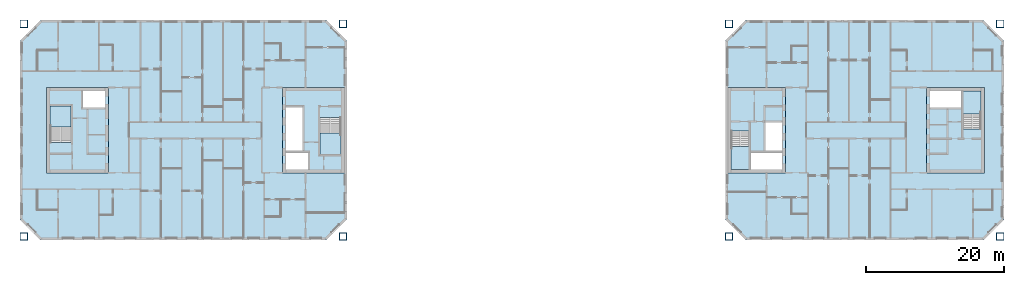
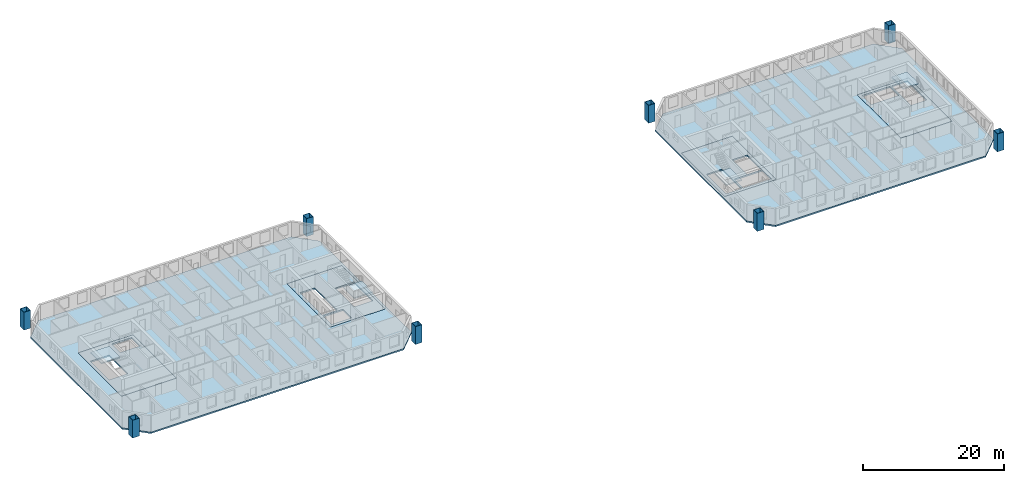
# One storey, part 1 of 15: 10 slabs, 8 columns, 4 elements without a shape of their own.
"""IFC4 building model written with IfcOpenShell, lengths in metres."""

from ifc_helpers import new_model, si_unit, direction, frame, origin, origin_2d, place, context, subcontext, project, spatial, polyline, hollow_rectangle, outline, extrude, material, layer, layer_set, material_profile, profile_set, type_object, element, aggregate, save


model = new_model("IFC4")

# Units and contexts
model_context = context("Model", 3, precision=1e-05, world=origin(), true_north=direction((0.0, 1.0)))
body_context = subcontext(model_context, "Body", "Model", "MODEL_VIEW")
ifc_project = project(units=[si_unit("LENGTHUNIT", "METRE"), si_unit("AREAUNIT", "SQUARE_METRE"), si_unit("VOLUMEUNIT", "CUBIC_METRE"), si_unit("PLANEANGLEUNIT", "RADIAN"), si_unit("MASSUNIT", "GRAM", prefix="KILO")], contexts=[model_context])

# Site, building, storey
site_placement = place(None, origin())
site = spatial("IfcSite", under=ifc_project, at=site_placement, CompositionType="ELEMENT")
building_placement = place(site_placement, origin())
building = spatial("IfcBuilding", under=site, at=building_placement, Name="Tuart Gate Housing", CompositionType="ELEMENT")
storey_placement = place(building_placement, frame((0.0, 0.0, 160.89990234375)))
storey = spatial("IfcBuildingStorey", under=building, at=storey_placement, Name="L45", CompositionType="ELEMENT", Elevation=160.89990234375)

# Columns
ifc_material_1 = material(Name="Steel Grade 350", Category="steel")
ifc_material_profile = material_profile(ifc_material_1, hollow_rectangle(XDim=1.10009765625, YDim=1.10009765625, WallThickness=0.06005859375, at=origin_2d()), Name="BOX 1100x1100x60")
ifc_profile_set = profile_set([ifc_material_profile], Name="Steel Grade 350")
column_type = type_object("IfcColumnType", Name="Mega column BOX 1100x1100x60", PredefinedType="COLUMN", material=ifc_profile_set)
for number, where, z_axis, x_axis, name in (
    (1, (29.050048828125, 54.550048828125, 0.0), (0.0, 0.0, 1.0), (1.0, 0.0, 0.0), "Mega column A south-west L45"),
    (2, (75.449951171875, 54.550048828125, 0.0), (0.0, 0.0, 1.0), (1.0, 0.0, 0.0), "Mega column A south-east L45"),
    (3, (75.449951171875, 85.449951171875, 0.0), (0.0, 0.0, 1.0), (1.0, 0.0, 0.0), "Mega column A north-east L45"),
    (4, (29.050048828125, 85.449951171875, 0.0), (0.0, 0.0, 1.0), (1.0, 0.0, 0.0), "Mega column A north-west L45"),
    (5, (131.550048828125, 54.550048828125, 0.0), (0.0, 0.0, 1.0), (1.0, 0.0, 0.0), "Mega column B south-west L45"),
    (6, (170.949951171875, 54.550048828125, 0.0), (0.0, 0.0, 1.0), (1.0, 0.0, 0.0), "Mega column B south-east L45"),
    (7, (170.949951171875, 85.449951171875, 0.0), (0.0, 0.0, 1.0), (1.0, 0.0, 0.0), "Mega column B north-east L45"),
    (8, (131.550048828125, 85.449951171875, 0.0), (0.0, 0.0, 1.0), (1.0, 0.0, 0.0), "Mega column B north-west L45"),
):
    element("IfcColumn", number, at=place(storey_placement, frame(where, z_axis=z_axis, x_axis=x_axis)), inside=storey, type_object=column_type, Name=name, PredefinedType="COLUMN", context=body_context, shape_type="SweptSolid", body=[
        extrude(hollow_rectangle(XDim=1.10009765625, YDim=1.10009765625, WallThickness=0.06005859375, at=origin_2d()), origin(), (0.0, 0.0, 1.0), 3.10009765625),
    ])

# Slabs
ifc_material_2 = material(Name="Concrete C40", Category="concrete")
ifc_layer_1 = layer(ifc_material_2, 0.25)
ifc_layer_set_1 = layer_set([ifc_layer_1], Name="Core floor slab 250")
slab_type_1 = type_object("IfcSlabType", Name="Core floor slab 250", PredefinedType="FLOOR", material=ifc_layer_set_1)
slab_1_placement = place(storey_placement, frame((0.0, 0.0, -0.25)))
element("IfcSlab", 9, at=slab_1_placement, inside=storey, type_object=slab_type_1, Name="Core floor AG", PredefinedType="FLOOR", context=body_context, shape_type="SweptSolid", body=[
    extrude(outline(polyline([(66.639892578125, 63.800048828125), (75.639892578125, 63.800048828125), (75.639892578125, 76.199951171875), (66.639892578125, 76.199951171875), (66.639892578125, 63.800048828125)]), holes=[polyline([(67.139892578125, 64.300048828125), (70.385009765625, 64.300048828125), (70.385009765625, 66.72509765625), (67.139892578125, 66.72509765625), (67.139892578125, 64.300048828125)]), polyline([(67.139892578125, 66.97509765625), (69.56494140625, 66.97509765625), (69.56494140625, 73.324951171875), (67.139892578125, 73.324951171875), (67.139892578125, 66.97509765625)]), polyline([(72.06494140625, 66.47509765625), (75.139892578125, 66.47509765625), (75.139892578125, 71.804931640625), (72.06494140625, 71.804931640625), (72.06494140625, 66.47509765625)])]), origin(), (0.0, 0.0, 1.0), 0.25),
])
slab_2_placement = place(storey_placement, frame((0.0, 0.0, -0.25)))
element("IfcSlab", 10, at=slab_2_placement, inside=storey, type_object=slab_type_1, Name="Core floor AK", PredefinedType="FLOOR", context=body_context, shape_type="SweptSolid", body=[
    extrude(outline(polyline([(32.360107421875, 63.800048828125), (41.360107421875, 63.800048828125), (41.360107421875, 76.199951171875), (32.360107421875, 76.199951171875), (32.360107421875, 63.800048828125)]), holes=[polyline([(40.860107421875, 75.699951171875), (37.614990234375, 75.699951171875), (37.614990234375, 73.27490234375), (40.860107421875, 73.27490234375), (40.860107421875, 75.699951171875)]), polyline([(35.93505859375, 73.52490234375), (32.860107421875, 73.52490234375), (32.860107421875, 68.195068359375), (35.93505859375, 68.195068359375), (35.93505859375, 73.52490234375)])]), origin(), (0.0, 0.0, 1.0), 0.25),
])
slab_3_placement = place(storey_placement, frame((0.0, 0.0, -0.25)))
element("IfcSlab", 11, at=slab_3_placement, inside=storey, type_object=slab_type_1, Name="Core floor BG", PredefinedType="FLOOR", context=body_context, shape_type="SweptSolid", body=[
    extrude(outline(polyline([(131.360107421875, 63.800048828125), (139.760009765625, 63.800048828125), (139.760009765625, 76.199951171875), (131.360107421875, 76.199951171875), (131.360107421875, 63.800048828125)]), holes=[polyline([(139.260009765625, 66.85009765625), (134.68505859375, 66.85009765625), (134.68505859375, 64.300048828125), (139.260009765625, 64.300048828125), (139.260009765625, 66.85009765625)]), polyline([(139.260009765625, 71.125), (136.8349609375, 71.125), (136.8349609375, 66.97509765625), (139.260009765625, 66.97509765625), (139.260009765625, 71.125)]), polyline([(134.43505859375, 69.85498046875), (131.860107421875, 69.85498046875), (131.860107421875, 64.300048828125), (134.43505859375, 64.300048828125), (134.43505859375, 69.85498046875)])]), origin(), (0.0, 0.0, 1.0), 0.25),
])
slab_4_placement = place(storey_placement, frame((0.0, 0.0, -0.25)))
element("IfcSlab", 12, at=slab_4_placement, inside=storey, type_object=slab_type_1, Name="Core floor BK", PredefinedType="FLOOR", context=body_context, shape_type="SweptSolid", body=[
    extrude(outline(polyline([(160.239990234375, 63.800048828125), (168.639892578125, 63.800048828125), (168.639892578125, 76.199951171875), (160.239990234375, 76.199951171875), (160.239990234375, 63.800048828125)]), holes=[polyline([(160.739990234375, 73.14990234375), (165.31494140625, 73.14990234375), (165.31494140625, 75.699951171875), (160.739990234375, 75.699951171875), (160.739990234375, 73.14990234375)]), polyline([(165.56494140625, 70.14501953125), (168.139892578125, 70.14501953125), (168.139892578125, 75.699951171875), (165.56494140625, 75.699951171875), (165.56494140625, 70.14501953125)])]), origin(), (0.0, 0.0, 1.0), 0.25),
])
ifc_material_3 = material(Name="Concrete C40", Category="concrete")
ifc_layer_2 = layer(ifc_material_3, 0.25)
ifc_layer_set_2 = layer_set([ifc_layer_2], Name="Flat plate 250")
slab_type_2 = type_object("IfcSlabType", Name="Flat plate 250", PredefinedType="FLOOR", material=ifc_layer_set_2)
slab_5_placement = place(storey_placement, frame((0.0, 0.0, -0.25)))
element("IfcSlab", 13, at=slab_5_placement, inside=storey, type_object=slab_type_2, Name="Floor slab A L45", PredefinedType="FLOOR", context=body_context, shape_type="SweptSolid", body=[
    extrude(outline(polyline([(31.5, 86.0), (28.5, 83.0), (28.5, 57.0), (31.5, 54.0), (73.0, 54.0), (76.0, 57.0), (76.0, 83.0), (73.0, 86.0), (31.5, 86.0)]), holes=[polyline([(66.639892578125, 76.199951171875), (75.639892578125, 76.199951171875), (75.639892578125, 63.800048828125), (66.639892578125, 63.800048828125), (66.639892578125, 76.199951171875)]), polyline([(41.360107421875, 76.199951171875), (41.360107421875, 63.800048828125), (32.360107421875, 63.800048828125), (32.360107421875, 76.199951171875), (41.360107421875, 76.199951171875)])]), origin(), (0.0, 0.0, 1.0), 0.25),
])
slab_6_placement = place(storey_placement, frame((0.0, 0.0, -0.25)))
element("IfcSlab", 14, at=slab_6_placement, inside=storey, type_object=slab_type_2, Name="Floor slab B L45", PredefinedType="FLOOR", context=body_context, shape_type="SweptSolid", body=[
    extrude(outline(polyline([(134.0, 86.0), (131.0, 83.0), (131.0, 57.0), (134.0, 54.0), (168.5, 54.0), (171.5, 57.0), (171.5, 83.0), (168.5, 86.0), (134.0, 86.0)]), holes=[polyline([(131.360107421875, 76.199951171875), (139.760009765625, 76.199951171875), (139.760009765625, 63.800048828125), (131.360107421875, 63.800048828125), (131.360107421875, 76.199951171875)]), polyline([(168.639892578125, 76.199951171875), (168.639892578125, 63.800048828125), (160.239990234375, 63.800048828125), (160.239990234375, 76.199951171875), (168.639892578125, 76.199951171875)])]), origin(), (0.0, 0.0, 1.0), 0.25),
])

# Stair, slab
ifc_material_4 = material(Name="Concrete C40", Category="concrete")
stair_type_1 = type_object("IfcStairType", Name="Core stair 1500", PredefinedType="HALF_TURN_STAIR", material=ifc_material_4)
stair_1_placement = place(storey_placement, origin())
stair_1 = element("IfcStair", 15, at=stair_1_placement, inside=storey, type_object=stair_type_1, Name="Stair SA1", PredefinedType="HALF_TURN_STAIR")
ifc_material_5 = material(Name="Concrete C40", Category="concrete")
ifc_layer_3 = layer(ifc_material_5, 0.199951171875)
ifc_layer_set_3 = layer_set([ifc_layer_3], Name="Stair landing 200")
slab_type_3 = type_object("IfcSlabType", Name="Stair landing 200", PredefinedType="LANDING", material=ifc_layer_set_3)
slab_7_placement = place(storey_placement, frame((0.0, 0.0, 1.35009765625)))
slab_7 = element("IfcSlab", 16, at=slab_7_placement, type_object=slab_type_3, Name="SA1 landing 1", PredefinedType="LANDING", context=body_context, shape_type="SweptSolid", body=[
    extrude(outline(polyline([(72.06494140625, 66.47509765625), (75.139892578125, 66.47509765625), (75.139892578125, 69.5849609375), (72.06494140625, 69.5849609375), (72.06494140625, 66.47509765625)])), origin(), (0.0, 0.0, 1.0), 0.199951171875),
])
aggregate(stair_1, [slab_7])

stair_2_placement = place(storey_placement, origin())
stair_2 = element("IfcStair", 17, at=stair_2_placement, inside=storey, type_object=stair_type_1, Name="Stair SA2", PredefinedType="HALF_TURN_STAIR")
slab_8_placement = place(storey_placement, frame((0.0, 0.0, 1.35009765625)))
slab_8 = element("IfcSlab", 18, at=slab_8_placement, type_object=slab_type_3, Name="SA2 landing 1", PredefinedType="LANDING", context=body_context, shape_type="SweptSolid", body=[
    extrude(outline(polyline([(35.93505859375, 73.52490234375), (32.860107421875, 73.52490234375), (32.860107421875, 70.4150390625), (35.93505859375, 70.4150390625), (35.93505859375, 73.52490234375)])), origin(), (0.0, 0.0, 1.0), 0.199951171875),
])
aggregate(stair_2, [slab_8])

ifc_material_6 = material(Name="Concrete C40", Category="concrete")
stair_type_2 = type_object("IfcStairType", Name="Core stair 1250", PredefinedType="HALF_TURN_STAIR", material=ifc_material_6)
stair_3_placement = place(storey_placement, origin())
stair_3 = element("IfcStair", 19, at=stair_3_placement, inside=storey, type_object=stair_type_2, Name="Stair SB1", PredefinedType="HALF_TURN_STAIR")
slab_9_placement = place(storey_placement, frame((0.0, 0.0, 1.35009765625)))
slab_9 = element("IfcSlab", 20, at=slab_9_placement, type_object=slab_type_3, Name="SB1 landing 1", PredefinedType="LANDING", context=body_context, shape_type="SweptSolid", body=[
    extrude(outline(polyline([(134.43505859375, 67.635009765625), (131.860107421875, 67.635009765625), (131.860107421875, 64.300048828125), (134.43505859375, 64.300048828125), (134.43505859375, 67.635009765625)])), origin(), (0.0, 0.0, 1.0), 0.199951171875),
])
aggregate(stair_3, [slab_9])

stair_4_placement = place(storey_placement, origin())
stair_4 = element("IfcStair", 21, at=stair_4_placement, inside=storey, type_object=stair_type_2, Name="Stair SB2", PredefinedType="HALF_TURN_STAIR")
slab_10_placement = place(storey_placement, frame((0.0, 0.0, 1.35009765625)))
slab_10 = element("IfcSlab", 22, at=slab_10_placement, type_object=slab_type_3, Name="SB2 landing 1", PredefinedType="LANDING", context=body_context, shape_type="SweptSolid", body=[
    extrude(outline(polyline([(165.56494140625, 72.364990234375), (168.139892578125, 72.364990234375), (168.139892578125, 75.699951171875), (165.56494140625, 75.699951171875), (165.56494140625, 72.364990234375)])), origin(), (0.0, 0.0, 1.0), 0.199951171875),
])
aggregate(stair_4, [slab_10])

save(model, "model.ifc")
